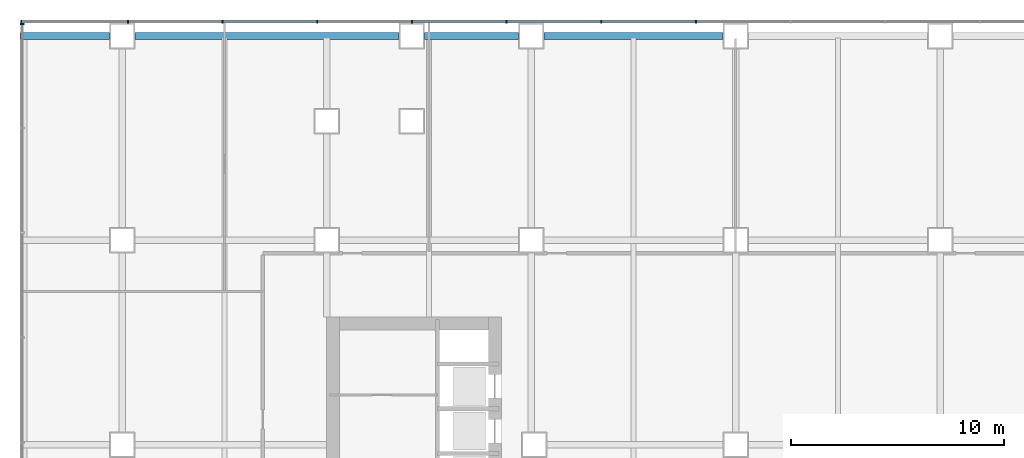
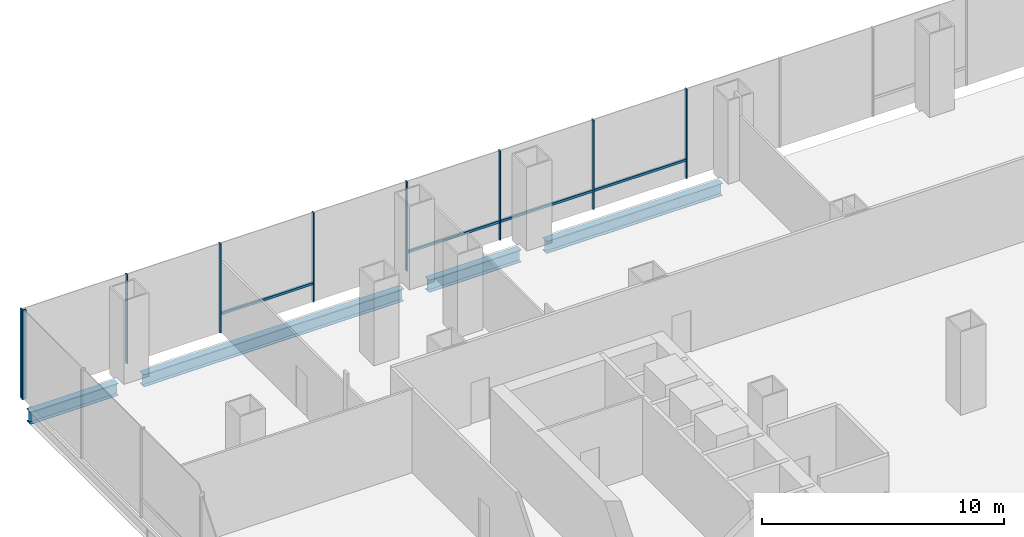
# One storey, part 9 of 23: 13 members, 4 beams, 2 elements without a shape of their own.
"""IFC4 building model written with IfcOpenShell, lengths in metres."""

from ifc_helpers import new_model, si_unit, direction, frame, origin, origin_2d, place, context, subcontext, project, spatial, rectangle, i_section, extrude, material, material_profile, profile_set, type_object, element, aggregate, save


model = new_model("IFC4")

# Units and contexts
model_context = context("Model", 3, precision=1e-05, world=origin(), true_north=direction((0.0, 1.0)))
body_context = subcontext(model_context, "Body", "Model", "MODEL_VIEW")
ifc_project = project(units=[si_unit("LENGTHUNIT", "METRE"), si_unit("AREAUNIT", "SQUARE_METRE"), si_unit("VOLUMEUNIT", "CUBIC_METRE"), si_unit("PLANEANGLEUNIT", "RADIAN"), si_unit("MASSUNIT", "GRAM", prefix="KILO")], contexts=[model_context])

# Site, building, storey
site_placement = place(None, origin())
site = spatial("IfcSite", under=ifc_project, at=site_placement, CompositionType="ELEMENT")
building_placement = place(site_placement, origin())
building = spatial("IfcBuilding", under=site, at=building_placement, Name="Cobrizo Arcos Hotel Tower", CompositionType="ELEMENT")
storey_placement = place(building_placement, frame((0.0, 0.0, 29.0)))
storey = spatial("IfcBuildingStorey", under=building, at=storey_placement, Name="L05", CompositionType="ELEMENT", Elevation=29.0)

# Curtain wall, members
ifc_material_1 = material(Name="Aluminium 6063-T6 anodised bronze", Category="aluminium")
curtain_wall_type_1 = type_object("IfcCurtainWallType", Name="CW-A guest facade", PredefinedType="NOTDEFINED", material=ifc_material_1)
curtain_wall_1_placement = place(storey_placement, origin())
curtain_wall_1 = element("IfcCurtainWall", 1, at=curtain_wall_1_placement, inside=storey, type_object=curtain_wall_type_1, Name="CW-A L05 N face", PredefinedType="NOTDEFINED")
ifc_material_profile_1 = material_profile(ifc_material_1, rectangle(XDim=0.14990234375, YDim=0.06005859375, at=origin_2d()), Name="CW-A mullion 150x60")
ifc_profile_set_1 = profile_set([ifc_material_profile_1], Name="Aluminium 6063-T6 anodised bronze")
member_type_1 = type_object("IfcMemberType", Name="CW-A mullion 150x60", PredefinedType="MULLION", material=ifc_profile_set_1)
member_1_placement = place(storey_placement, frame((-6.666748046875, 24.675048828125, 0.0), z_axis=(0.0, 0.0, 1.0), x_axis=(0.0, 1.0, 0.0)))
member_1 = element("IfcMember", 2, at=member_1_placement, type_object=member_type_1, Name="CW-A mullion 11", PredefinedType="MULLION", context=body_context, shape_type="SweptSolid", body=[
    extrude(rectangle(XDim=0.14990234375, YDim=0.06005859375, at=origin_2d()), origin(), (0.0, 0.0, 1.0), 4.5),
])
member_2_placement = place(storey_placement, frame((-11.111083984375, 24.675048828125, 0.0), z_axis=(0.0, 0.0, 1.0), x_axis=(0.0, 1.0, 0.0)))
member_2 = element("IfcMember", 3, at=member_2_placement, type_object=member_type_1, Name="CW-A mullion 12", PredefinedType="MULLION", context=body_context, shape_type="SweptSolid", body=[
    extrude(rectangle(XDim=0.14990234375, YDim=0.06005859375, at=origin_2d()), origin(), (0.0, 0.0, 1.0), 4.5),
])
member_3_placement = place(storey_placement, frame((-15.5556640625, 24.675048828125, 0.0), z_axis=(0.0, 0.0, 1.0), x_axis=(0.0, 1.0, 0.0)))
member_3 = element("IfcMember", 4, at=member_3_placement, type_object=member_type_1, Name="CW-A mullion 13", PredefinedType="MULLION", context=body_context, shape_type="SweptSolid", body=[
    extrude(rectangle(XDim=0.14990234375, YDim=0.06005859375, at=origin_2d()), origin(), (0.0, 0.0, 1.0), 4.5),
])
member_4_placement = place(storey_placement, frame((-20.0, 24.675048828125, 0.0), z_axis=(0.0, 0.0, 1.0), x_axis=(0.0, 1.0, 0.0)))
member_4 = element("IfcMember", 5, at=member_4_placement, type_object=member_type_1, Name="CW-A mullion 14", PredefinedType="MULLION", context=body_context, shape_type="SweptSolid", body=[
    extrude(rectangle(XDim=0.14990234375, YDim=0.06005859375, at=origin_2d()), origin(), (0.0, 0.0, 1.0), 4.5),
])
member_5_placement = place(storey_placement, frame((-24.4443359375, 24.675048828125, 0.0), z_axis=(0.0, 0.0, 1.0), x_axis=(0.0, 1.0, 0.0)))
member_5 = element("IfcMember", 6, at=member_5_placement, type_object=member_type_1, Name="CW-A mullion 15", PredefinedType="MULLION", context=body_context, shape_type="SweptSolid", body=[
    extrude(rectangle(XDim=0.14990234375, YDim=0.06005859375, at=origin_2d()), origin(), (0.0, 0.0, 1.0), 4.5),
])
member_6_placement = place(storey_placement, frame((-28.888916015625, 24.675048828125, 0.0), z_axis=(0.0, 0.0, 1.0), x_axis=(0.0, 1.0, 0.0)))
member_6 = element("IfcMember", 7, at=member_6_placement, type_object=member_type_1, Name="CW-A mullion 16", PredefinedType="MULLION", context=body_context, shape_type="SweptSolid", body=[
    extrude(rectangle(XDim=0.14990234375, YDim=0.06005859375, at=origin_2d()), origin(), (0.0, 0.0, 1.0), 4.5),
])
member_7_placement = place(storey_placement, frame((-33.333251953125, 24.675048828125, 0.0), z_axis=(0.0, 0.0, 1.0), x_axis=(0.0, 1.0, 0.0)))
member_7 = element("IfcMember", 8, at=member_7_placement, type_object=member_type_1, Name="CW-A mullion 17", PredefinedType="MULLION", context=body_context, shape_type="SweptSolid", body=[
    extrude(rectangle(XDim=0.14990234375, YDim=0.06005859375, at=origin_2d()), origin(), (0.0, 0.0, 1.0), 4.5),
])
member_8_placement = place(storey_placement, frame((-38.344970703125, 24.675048828125, 0.0), z_axis=(0.0, 0.0, 1.0), x_axis=(0.0, 1.0, 0.0)))
member_8 = element("IfcMember", 9, at=member_8_placement, type_object=member_type_1, Name="CW-A mullion 18", PredefinedType="MULLION", context=body_context, shape_type="SweptSolid", body=[
    extrude(rectangle(XDim=0.14990234375, YDim=0.06005859375, at=origin_2d()), origin(), (0.0, 0.0, 1.0), 4.5),
])
ifc_material_profile_2 = material_profile(ifc_material_1, rectangle(XDim=0.10009765625, YDim=0.1201171875, at=origin_2d()), Name="CW-A transom 120x100")
ifc_profile_set_2 = profile_set([ifc_material_profile_2], Name="Aluminium 6063-T6 anodised bronze")
member_type_2 = type_object("IfcMemberType", Name="CW-A transom 120x100", PredefinedType="USERDEFINED", material=ifc_profile_set_2)
member_9_placement = place(storey_placement, frame((-6.69677734375, 24.675048828125, 0.929931640625), z_axis=(-1.0, 0.0, 0.0), x_axis=(0.0, -1.0, 0.0)))
member_9 = element("IfcMember", 10, at=member_9_placement, type_object=member_type_2, Name="CW-A transom 289", ObjectType="TRANSOM", PredefinedType="USERDEFINED", context=body_context, shape_type="SweptSolid", body=[
    extrude(rectangle(XDim=0.10009765625, YDim=0.1201171875, at=origin_2d()), origin(), (0.0, 0.0, 1.0), 4.38427734375),
])
member_10_placement = place(storey_placement, frame((-11.14111328125, 24.675048828125, 0.929931640625), z_axis=(-1.0, 0.0, 0.0), x_axis=(0.0, -1.0, 0.0)))
member_10 = element("IfcMember", 11, at=member_10_placement, type_object=member_type_2, Name="CW-A transom 290", ObjectType="TRANSOM", PredefinedType="USERDEFINED", context=body_context, shape_type="SweptSolid", body=[
    extrude(rectangle(XDim=0.10009765625, YDim=0.1201171875, at=origin_2d()), origin(), (0.0, 0.0, 1.0), 4.384521484375),
])
member_11_placement = place(storey_placement, frame((-15.58544921875, 24.675048828125, 0.929931640625), z_axis=(-1.0, 0.0, 0.0), x_axis=(0.0, -1.0, 0.0)))
member_11 = element("IfcMember", 12, at=member_11_placement, type_object=member_type_2, Name="CW-A transom 291", ObjectType="TRANSOM", PredefinedType="USERDEFINED", context=body_context, shape_type="SweptSolid", body=[
    extrude(rectangle(XDim=0.10009765625, YDim=0.1201171875, at=origin_2d()), origin(), (0.0, 0.0, 1.0), 4.384521484375),
])
member_12_placement = place(storey_placement, frame((-24.474365234375, 24.675048828125, 0.929931640625), z_axis=(-1.0, 0.0, 0.0), x_axis=(0.0, -1.0, 0.0)))
member_12 = element("IfcMember", 13, at=member_12_placement, type_object=member_type_2, Name="CW-A transom 293", ObjectType="TRANSOM", PredefinedType="USERDEFINED", context=body_context, shape_type="SweptSolid", body=[
    extrude(rectangle(XDim=0.10009765625, YDim=0.1201171875, at=origin_2d()), origin(), (0.0, 0.0, 1.0), 4.384521484375),
])
aggregate(curtain_wall_1, [member_1, member_2, member_3, member_4, member_5, member_6, member_7, member_8, member_9, member_10, member_11, member_12])

# Curtain wall, member
curtain_wall_type_2 = type_object("IfcCurtainWallType", Name="CW-B podium glazing", PredefinedType="NOTDEFINED", material=ifc_material_1)
curtain_wall_2_placement = place(storey_placement, origin())
curtain_wall_2 = element("IfcCurtainWall", 14, at=curtain_wall_2_placement, inside=storey, type_object=curtain_wall_type_2, Name="CW-B L05 W face", PredefinedType="NOTDEFINED")
ifc_material_profile_3 = material_profile(ifc_material_1, rectangle(XDim=0.199951171875, YDim=0.080078125, at=origin_2d()), Name="CW-B mullion 200x80")
ifc_profile_set_3 = profile_set([ifc_material_profile_3], Name="Aluminium 6063-T6 anodised bronze")
member_type_3 = type_object("IfcMemberType", Name="CW-B mullion 200x80", PredefinedType="MULLION", material=ifc_profile_set_3)
member_13_placement = place(storey_placement, frame((-38.300048828125, 24.56005859375, 0.0), z_axis=(0.0, 0.0, 1.0), x_axis=(-1.0, 0.0, 0.0)))
member_13 = element("IfcMember", 15, at=member_13_placement, type_object=member_type_3, Name="CW-B mullion 1", PredefinedType="MULLION", context=body_context, shape_type="SweptSolid", body=[
    extrude(rectangle(XDim=0.199951171875, YDim=0.080078125, at=origin_2d()), origin(), (0.0, 0.0, 1.0), 4.5),
])
aggregate(curtain_wall_2, [member_13])

# Beams
ifc_material_2 = material(Name="Steel ASTM A992 Grade 50", Category="steel")
ifc_material_profile_4 = material_profile(ifc_material_2, i_section(OverallWidth=0.32763671875, OverallDepth=0.622314453125, WebThickness=0.015380859375, FlangeThickness=0.0244140625, at=origin_2d()), Name="W24X131")
ifc_profile_set_4 = profile_set([ifc_material_profile_4], Name="Steel ASTM A992 Grade 50")
beam_type_1 = type_object("IfcBeamType", Name="W24X131 edge beam", PredefinedType="BEAM", material=ifc_profile_set_4)
beam_1_placement = place(storey_placement, frame((-34.199951171875, 24.0, -0.51123046875), z_axis=(-1.0, 0.0, 0.0), x_axis=(0.0, -1.0, 0.0)))
element("IfcBeam", 16, at=beam_1_placement, inside=storey, type_object=beam_type_1, Name="Edge beam EB1, L05, no. 007", PredefinedType="BEAM", context=body_context, shape_type="SweptSolid", body=[
    extrude(i_section(OverallWidth=0.32763671875, OverallDepth=0.622314453125, WebThickness=0.015380859375, FlangeThickness=0.0244140625, at=origin_2d()), origin(), (0.0, 0.0, 1.0), 4.199951171875),
])
ifc_material_profile_5 = material_profile(ifc_material_2, i_section(OverallWidth=0.32763671875, OverallDepth=0.622314453125, WebThickness=0.015380859375, FlangeThickness=0.0244140625, at=origin_2d()), Name="W24X131")
ifc_profile_set_5 = profile_set([ifc_material_profile_5], Name="Steel ASTM A992 Grade 50")
beam_type_2 = type_object("IfcBeamType", Name="W24X131 spandrel", PredefinedType="SPANDREL", material=ifc_profile_set_5)
beam_2_placement = place(storey_placement, frame((-5.39990234375, 24.0, -0.51123046875), z_axis=(-1.0, 0.0, 0.0), x_axis=(0.0, -1.0, 0.0)))
element("IfcBeam", 17, at=beam_2_placement, inside=storey, type_object=beam_type_2, Name="Spandrel beam W24X131, L05, no. 005", PredefinedType="SPANDREL", context=body_context, shape_type="SweptSolid", body=[
    extrude(i_section(OverallWidth=0.32763671875, OverallDepth=0.622314453125, WebThickness=0.015380859375, FlangeThickness=0.0244140625, at=origin_2d()), origin(), (0.0, 0.0, 1.0), 8.400146484375),
])
beam_3_placement = place(storey_placement, frame((-15.0, 24.0, -0.51123046875), z_axis=(-1.0, 0.0, 0.0), x_axis=(0.0, -1.0, 0.0)))
element("IfcBeam", 18, at=beam_3_placement, inside=storey, type_object=beam_type_2, Name="Spandrel beam W24X131, L05, no. 006", PredefinedType="SPANDREL", context=body_context, shape_type="SweptSolid", body=[
    extrude(i_section(OverallWidth=0.32763671875, OverallDepth=0.622314453125, WebThickness=0.015380859375, FlangeThickness=0.0244140625, at=origin_2d()), origin(), (0.0, 0.0, 1.0), 4.39990234375),
])
beam_4_placement = place(storey_placement, frame((-20.60009765625, 24.0, -0.51123046875), z_axis=(-1.0, 0.0, 0.0), x_axis=(0.0, -1.0, 0.0)))
element("IfcBeam", 19, at=beam_4_placement, inside=storey, type_object=beam_type_2, Name="Spandrel beam W24X131, L05, no. 007", PredefinedType="SPANDREL", context=body_context, shape_type="SweptSolid", body=[
    extrude(i_section(OverallWidth=0.32763671875, OverallDepth=0.622314453125, WebThickness=0.015380859375, FlangeThickness=0.0244140625, at=origin_2d()), origin(), (0.0, 0.0, 1.0), 12.39990234375),
])

save(model, "model.ifc")
